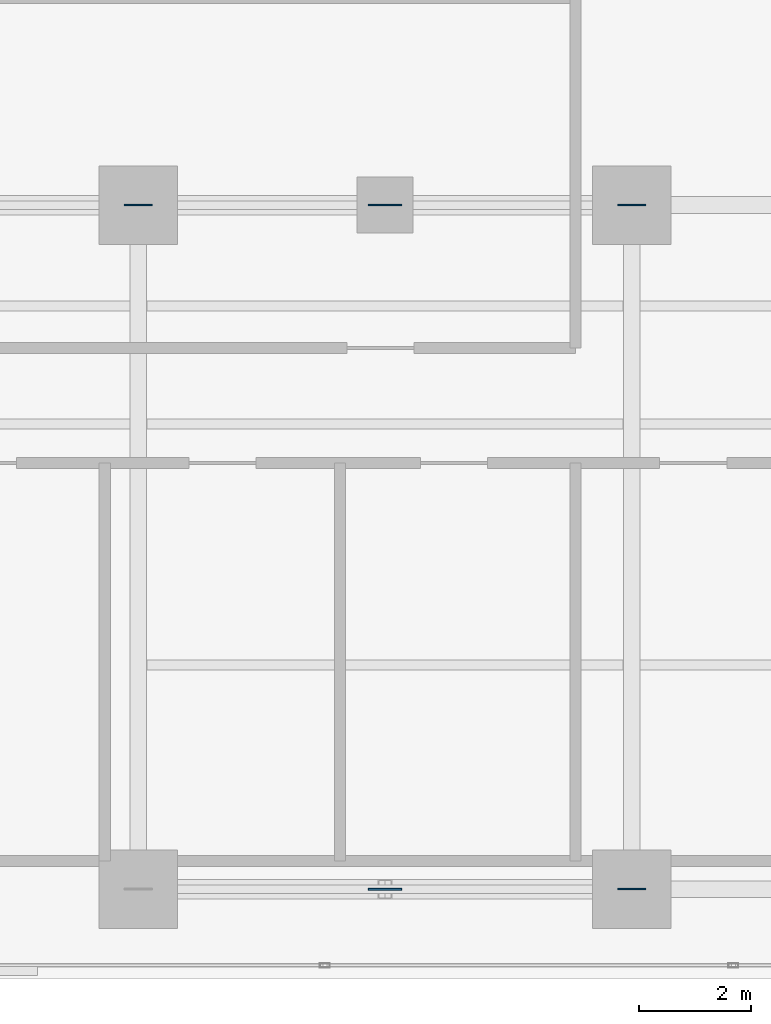
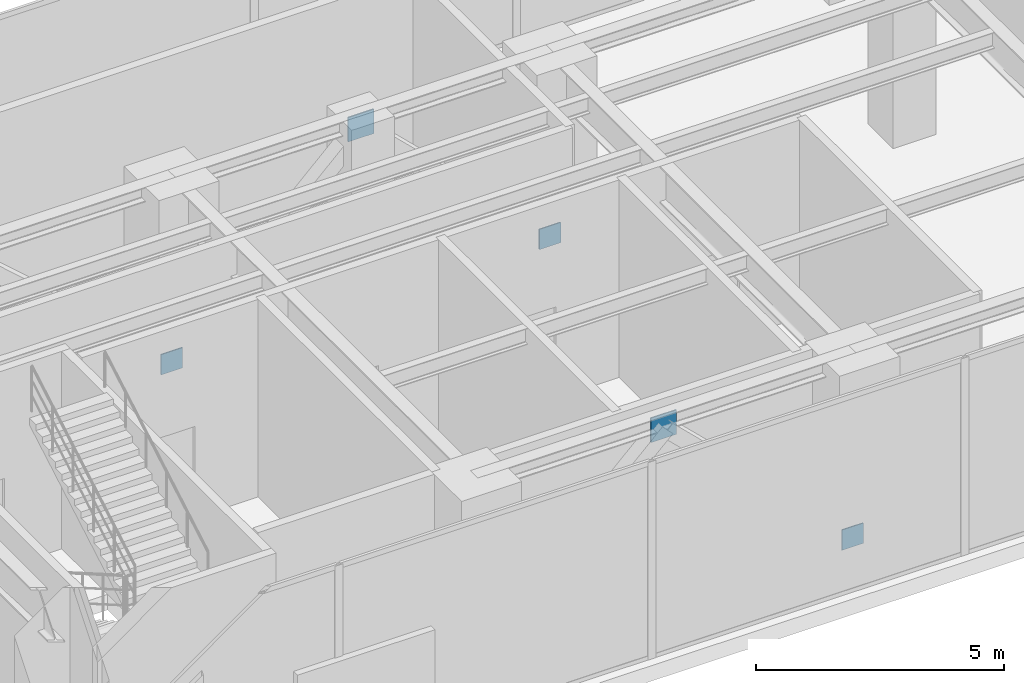
# One storey, part 30 of 37: 5 plates.
"""IFC4 building model written with IfcOpenShell, lengths in metres."""

from ifc_helpers import new_model, si_unit, direction, frame, origin, origin_with_axes, origin_2d, place, context, subcontext, project, spatial, rectangle, extrude, source, transform, mapped, material, layer, layer_set, type_object, element, save


model = new_model("IFC4")

# Units and contexts
model_context = context("Model", 3, precision=1e-05, world=origin(), true_north=direction((0.0, 1.0)))
body_context = subcontext(model_context, "Body", "Model", "MODEL_VIEW")
ifc_project = project(units=[si_unit("LENGTHUNIT", "METRE"), si_unit("AREAUNIT", "SQUARE_METRE"), si_unit("VOLUMEUNIT", "CUBIC_METRE"), si_unit("PLANEANGLEUNIT", "RADIAN"), si_unit("MASSUNIT", "GRAM", prefix="KILO")], contexts=[model_context])

# Site, building, storey
site_placement = place(None, origin())
site = spatial("IfcSite", under=ifc_project, at=site_placement, CompositionType="ELEMENT")
building_placement = place(site_placement, origin())
building = spatial("IfcBuilding", under=site, at=building_placement, Name="Kolvaren Waterfront Exchange", CompositionType="ELEMENT")
storey_placement = place(building_placement, frame((0.0, 0.0, 141.10009765625)))
storey = spatial("IfcBuildingStorey", under=building, at=storey_placement, Name="L36", CompositionType="ELEMENT", Elevation=141.10009765625)

# Plates
ifc_material_1 = material(Name="Steel S460", Category="steel")
ifc_layer_1 = layer(ifc_material_1, 0.030029296875, Name="Steel S460")
ifc_layer_set_1 = layer_set([ifc_layer_1], Name="Steel S460")
plate_type_1 = type_object("IfcPlateType", Name="STR-PL-BN1", PredefinedType="SHEET", material=ifc_layer_set_1)
shared_shape_1 = source(origin_with_axes(), body_context, "Body", "SweptSolid", [
    extrude(rectangle(XDim=0.60009765625, YDim=0.030029296875, at=origin_2d()), origin(), (0.0, 0.0, 1.0), 0.60009765625),
])
for number, where, z_axis, x_axis, name in (
    (1, (41.199951171875, 17.39990234375, 4.2099609375), (0.0, 0.0, 1.0), (1.0, 0.0, 0.0), "L36 belt-truss chevron apex gusset BT2"),
    (2, (41.199951171875, 5.199951171875, 4.2099609375), (0.0, 0.0, 1.0), (1.0, 0.0, 0.0), "L36 belt-truss chevron apex gusset BT3"),
):
    element("IfcPlate", number, at=place(storey_placement, frame(where, z_axis=z_axis, x_axis=x_axis)), inside=storey, type_object=plate_type_1, Name=name, PredefinedType="SHEET", context=body_context, shape_type="MappedRepresentation", body=[
        mapped(shared_shape_1, transform((0.0, 0.0, 0.0), x_axis=(1.0, 0.0, 0.0), y_axis=(0.0, 1.0, 0.0), z_axis=(0.0, 0.0, 1.0), scale=1.0)),
    ])
ifc_material_2 = material(Name="Steel S355", Category="steel")
ifc_layer_2 = layer(ifc_material_2, 0.02490234375, Name="Steel S355")
ifc_layer_set_2 = layer_set([ifc_layer_2], Name="Steel S355")
plate_type_2 = type_object("IfcPlateType", Name="STR-PL-BN2", PredefinedType="SHEET", material=ifc_layer_set_2)
shared_shape_2 = source(origin_with_axes(), body_context, "Body", "SweptSolid", [
    extrude(rectangle(XDim=0.5, YDim=0.02490234375, at=origin_2d()), origin(), (0.0, 0.0, 1.0), 0.5),
])
for number, where, z_axis, x_axis, name in (
    (3, (36.800048828125, 17.39990234375, 0.0), (0.0, 0.0, 1.0), (1.0, 0.0, 0.0), "L36 belt-truss end cap plate BT1.2"),
    (4, (45.60009765625, 17.39990234375, 0.0), (0.0, 0.0, 1.0), (1.0, 0.0, 0.0), "L36 belt-truss end cap plate BT2.2"),
    (5, (45.60009765625, 5.199951171875, 0.0), (0.0, 0.0, 1.0), (1.0, 0.0, 0.0), "L36 belt-truss end cap plate BT3.2"),
):
    element("IfcPlate", number, at=place(storey_placement, frame(where, z_axis=z_axis, x_axis=x_axis)), inside=storey, type_object=plate_type_2, Name=name, PredefinedType="SHEET", context=body_context, shape_type="MappedRepresentation", body=[
        mapped(shared_shape_2, transform((0.0, 0.0, 0.0), x_axis=(1.0, 0.0, 0.0), y_axis=(0.0, 1.0, 0.0), z_axis=(0.0, 0.0, 1.0), scale=1.0)),
    ])

save(model, "model.ifc")
